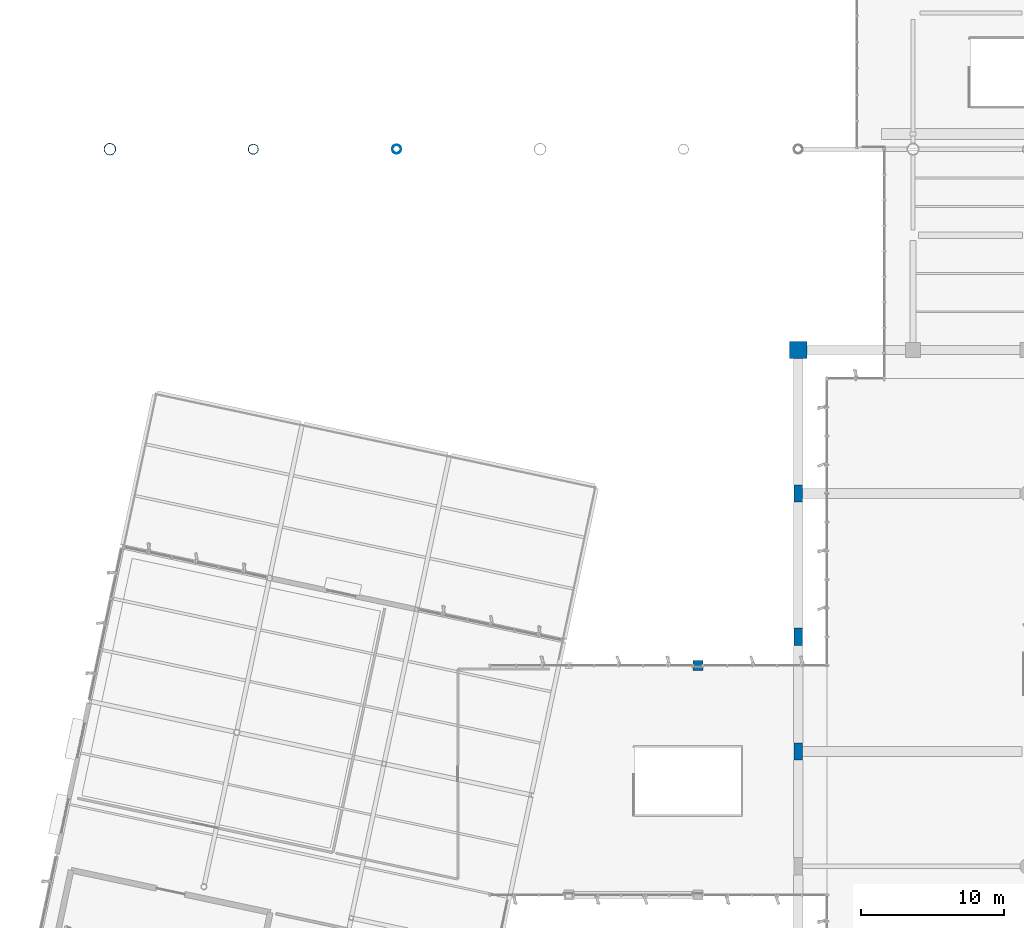
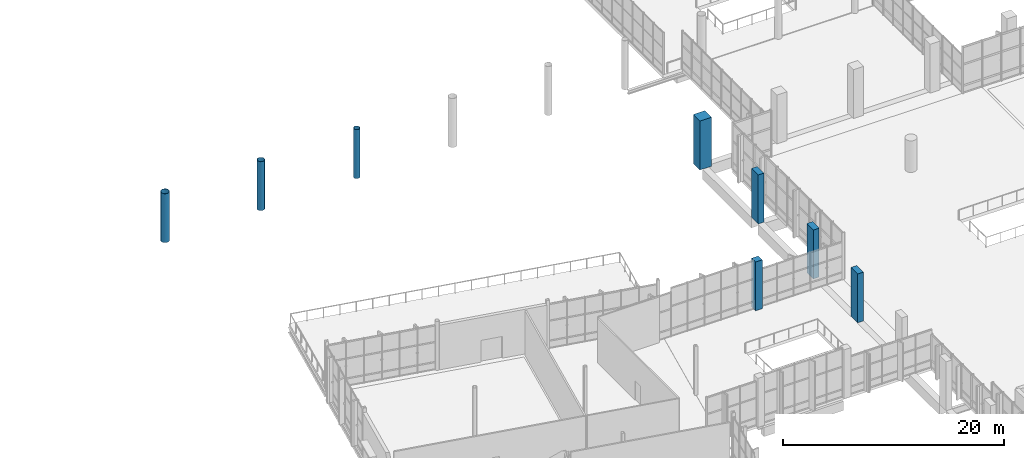
# One storey, part 8 of 176: 8 columns.
"""IFC4 building model written with IfcOpenShell, lengths in metres."""

from ifc_helpers import new_model, si_unit, direction, frame, origin, origin_2d, place, context, subcontext, project, spatial, rectangle, hollow_circle, extrude, material, material_profile, profile_set, type_object, element, save


model = new_model("IFC4")

# Units and contexts
model_context = context("Model", 3, precision=1e-05, world=origin(), true_north=direction((0.0, 1.0)))
body_context = subcontext(model_context, "Body", "Model", "MODEL_VIEW")
ifc_project = project(units=[si_unit("LENGTHUNIT", "METRE"), si_unit("AREAUNIT", "SQUARE_METRE"), si_unit("VOLUMEUNIT", "CUBIC_METRE"), si_unit("PLANEANGLEUNIT", "RADIAN"), si_unit("MASSUNIT", "GRAM", prefix="KILO")], contexts=[model_context])

# Site, building, storey
site_placement = place(None, origin())
site = spatial("IfcSite", under=ifc_project, at=site_placement, CompositionType="ELEMENT")
building_placement = place(site_placement, origin())
building = spatial("IfcBuilding", under=site, at=building_placement, Name="Khorjan Park Terminus", CompositionType="ELEMENT")
storey_placement = place(building_placement, frame((0.0, 0.0, 6.0)))
storey = spatial("IfcBuildingStorey", under=building, at=storey_placement, Name="L01", CompositionType="ELEMENT", Elevation=6.0)

# Columns
ifc_material_1 = material(Name="Concrete C50/60", Category="concrete")
ifc_material_profile_1 = material_profile(ifc_material_1, rectangle(XDim=0.6, YDim=1.2, at=origin_2d()), Name="RC 600x1200")
ifc_profile_set_1 = profile_set([ifc_material_profile_1], Name="Concrete C50/60")
column_type_1 = type_object("IfcColumnType", Name="COL-BL1200", PredefinedType="COLUMN", material=ifc_profile_set_1)
for number, where, z_axis, x_axis, name in (
    (1, (48.0, 60.0, 0.0), (0.0, 0.0, 1.0), (1.0, 0.0, 0.0), "Structural column C-BL12 (L01 #252)"),
    (2, (48.0, 68.0, 0.0), (0.0, 0.0, 1.0), (1.0, 0.0, 0.0), "Structural column C-BL12 (L01 #257)"),
    (3, (48.0, 78.0, 0.0), (0.0, 0.0, 1.0), (1.0, 0.0, 0.0), "Structural column C-BL12 (L01 #262)"),
):
    element("IfcColumn", number, at=place(storey_placement, frame(where, z_axis=z_axis, x_axis=x_axis)), inside=storey, type_object=column_type_1, Name=name, PredefinedType="COLUMN", context=body_context, shape_type="SweptSolid", body=[
        extrude(rectangle(XDim=0.6, YDim=1.2, at=origin_2d()), origin(), (0.0, 0.0, 1.0), 5.4),
    ])
ifc_material_profile_2 = material_profile(ifc_material_1, rectangle(XDim=1.2, YDim=1.2, at=origin_2d()), Name="RC 1200x1200")
ifc_profile_set_2 = profile_set([ifc_material_profile_2], Name="Concrete C50/60")
column_type_2 = type_object("IfcColumnType", Name="COL-RC1200", PredefinedType="COLUMN", material=ifc_profile_set_2)
column_1_placement = place(storey_placement, frame((48.0, 88.0, 0.0), z_axis=(0.0, 0.0, 1.0), x_axis=(1.0, 0.0, 0.0)))
element("IfcColumn", 4, at=column_1_placement, inside=storey, type_object=column_type_2, Name="Structural column C-RC12 (L01 #267)", PredefinedType="COLUMN", context=body_context, shape_type="SweptSolid", body=[
    extrude(rectangle(XDim=1.2, YDim=1.2, at=origin_2d()), origin(), (0.0, 0.0, 1.0), 5.4),
])
ifc_material_2 = material(Name="Concrete C40/50", Category="concrete")
ifc_material_profile_3 = material_profile(ifc_material_2, rectangle(XDim=0.7, YDim=0.7, at=origin_2d()), Name="RC 700x700")
ifc_profile_set_3 = profile_set([ifc_material_profile_3], Name="Concrete C40/50")
column_type_3 = type_object("IfcColumnType", Name="COL-RC700", PredefinedType="COLUMN", material=ifc_profile_set_3)
column_2_placement = place(storey_placement, frame((41.0, 66.0, 0.0), z_axis=(0.0, 0.0, 1.0), x_axis=(1.0, 0.0, 0.0)))
element("IfcColumn", 5, at=column_2_placement, inside=storey, type_object=column_type_3, Name="Structural column C-RC07 (L01 #660)", PredefinedType="COLUMN", context=body_context, shape_type="SweptSolid", body=[
    extrude(rectangle(XDim=0.7, YDim=0.7, at=origin_2d()), origin(), (0.0, 0.0, 1.0), 5.4),
])
ifc_material_3 = material(Name="Steel S355", Category="steel")
ifc_material_profile_4 = material_profile(ifc_material_3, hollow_circle(Radius=0.305, WallThickness=0.02, at=origin_2d()), Name="CHS 610x20")
ifc_profile_set_4 = profile_set([ifc_material_profile_4], Name="Steel S355")
column_type_4 = type_object("IfcColumnType", Name="COL-SH610E", PredefinedType="COLUMN", material=ifc_profile_set_4)
column_3_placement = place(storey_placement, frame((20.0, 102.0, 0.0), z_axis=(0.0, 0.0, 1.0), x_axis=(1.0, 0.0, 0.0)))
element("IfcColumn", 6, at=column_3_placement, inside=storey, type_object=column_type_4, Name="Structural column SC-61 (L01 #27)", PredefinedType="COLUMN", context=body_context, shape_type="SweptSolid", body=[
    extrude(hollow_circle(Radius=0.305, WallThickness=0.02, at=origin_2d()), origin(), (0.0, 0.0, 1.0), 5.4),
])
ifc_material_profile_5 = material_profile(ifc_material_3, hollow_circle(Radius=0.3555, WallThickness=0.025, at=origin_2d()), Name="CHS 711x25")
ifc_profile_set_5 = profile_set([ifc_material_profile_5], Name="Steel S355")
column_type_5 = type_object("IfcColumnType", Name="COL-SH711E", PredefinedType="COLUMN", material=ifc_profile_set_5)
column_4_placement = place(storey_placement, frame((10.0, 102.0, 0.0), z_axis=(0.0, 0.0, 1.0), x_axis=(1.0, 0.0, 0.0)))
element("IfcColumn", 7, at=column_4_placement, inside=storey, type_object=column_type_5, Name="Structural column SC-71 (L01 #15)", PredefinedType="COLUMN", context=body_context, shape_type="SweptSolid", body=[
    extrude(hollow_circle(Radius=0.3555, WallThickness=0.025, at=origin_2d()), origin(), (0.0, 0.0, 1.0), 5.4),
])
ifc_material_profile_6 = material_profile(ifc_material_3, hollow_circle(Radius=0.4065, WallThickness=0.025, at=origin_2d()), Name="CHS 813x25")
ifc_profile_set_6 = profile_set([ifc_material_profile_6], Name="Steel S355")
column_type_6 = type_object("IfcColumnType", Name="COL-SH813E", PredefinedType="COLUMN", material=ifc_profile_set_6)
column_5_placement = place(storey_placement, frame((0.0, 102.0, 0.0), z_axis=(0.0, 0.0, 1.0), x_axis=(1.0, 0.0, 0.0)))
element("IfcColumn", 8, at=column_5_placement, inside=storey, type_object=column_type_6, Name="Structural column SC-81 (L01 #3)", PredefinedType="COLUMN", context=body_context, shape_type="SweptSolid", body=[
    extrude(hollow_circle(Radius=0.4065, WallThickness=0.025, at=origin_2d()), origin(), (0.0, 0.0, 1.0), 5.4),
])

save(model, "model.ifc")
